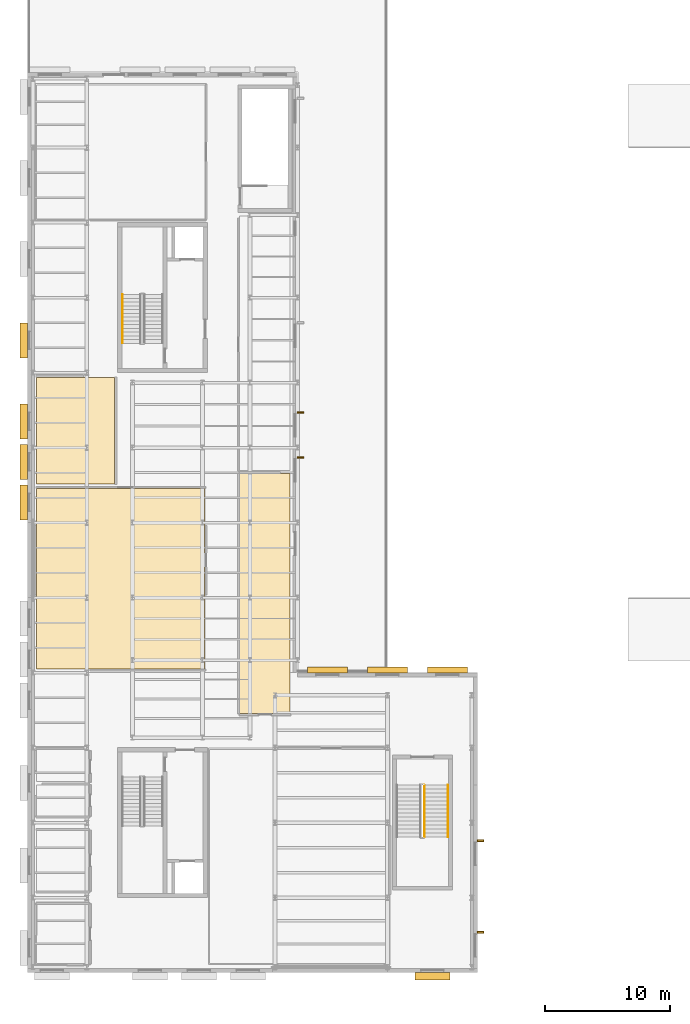
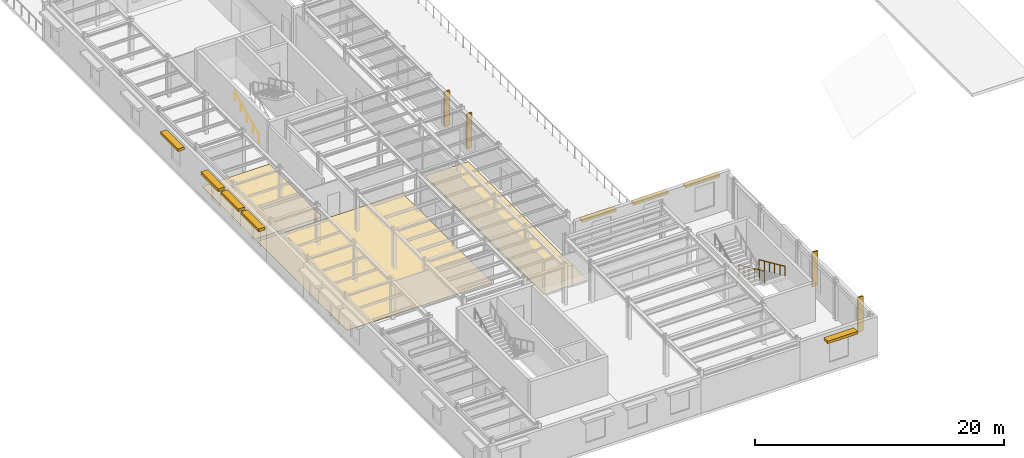
# One storey, part 9 of 13: 12 shading devices, 3 coverings, 3 railings, 2 elements without a shape of their own.
"""IFC4 building model written with IfcOpenShell, lengths in metres."""

from ifc_helpers import new_model, si_unit, direction, frame, origin, origin_2d, place, context, subcontext, project, spatial, polyline, rectangle, circle, outline, extrude, material, layer, layer_set, type_object, element, aggregate, save


model = new_model("IFC4")

# Units and contexts
model_context = context("Model", 3, precision=1e-05, world=origin(), true_north=direction((0.0, 1.0)))
body_context = subcontext(model_context, "Body", "Model", "MODEL_VIEW")
ifc_project = project(units=[si_unit("LENGTHUNIT", "METRE"), si_unit("AREAUNIT", "SQUARE_METRE"), si_unit("VOLUMEUNIT", "CUBIC_METRE"), si_unit("PLANEANGLEUNIT", "RADIAN"), si_unit("MASSUNIT", "GRAM", prefix="KILO")], contexts=[model_context])

# Site, building, storey
site_placement = place(None, origin())
site = spatial("IfcSite", under=ifc_project, at=site_placement, CompositionType="ELEMENT")
building_placement = place(site_placement, origin())
building = spatial("IfcBuilding", under=site, at=building_placement, Name="Kolvaren Corner Interchange", CompositionType="ELEMENT")
storey_placement = place(building_placement, frame((0.0, 0.0, 14.699951171875)))
storey = spatial("IfcBuildingStorey", under=building, at=storey_placement, Name="L04", CompositionType="ELEMENT", Elevation=14.699951171875)

# Coverings
ifc_material_1 = material(Name="Anti-Slip Heavy-Duty Epoxy Resin Flooring")
ifc_layer_1 = layer(ifc_material_1, 0.01806640625)
ifc_layer_set_1 = layer_set([ifc_layer_1], Name="Anti-Slip Heavy-Duty Epoxy Resin Flooring")
covering_type_1 = type_object("IfcCoveringType", Name="COV-FLR-RES18", PredefinedType="FLOORING", material=ifc_layer_set_1)
covering_1_placement = place(storey_placement, origin())
element("IfcCovering", 1, at=covering_1_placement, inside=storey, type_object=covering_type_1, Name="L04 Operations West AHU Plant Room Floor Finish", PredefinedType="FLOORING", context=body_context, shape_type="SweptSolid", body=[
    extrude(outline(polyline([(0.72998046875, 39.080078125), (6.969970703125, 39.080078125), (6.969970703125, 47.6201171875), (0.72998046875, 47.6201171875), (0.72998046875, 39.080078125)])), origin(), (0.0, 0.0, 1.0), 0.01806640625),
])
ifc_material_2 = material(Name="Polished Niger Delta Granite Terrazzo Flooring", Category="masonry")
ifc_layer_2 = layer(ifc_material_2, 0.030029296875)
ifc_layer_set_2 = layer_set([ifc_layer_2], Name="Polished Niger Delta Granite Terrazzo Flooring")
covering_type_2 = type_object("IfcCoveringType", Name="COV-FLR-TER30", PredefinedType="FLOORING", material=ifc_layer_set_2)
covering_2_placement = place(storey_placement, origin())
element("IfcCovering", 2, at=covering_2_placement, inside=storey, type_object=covering_type_2, Name="L04 Transit Safety Lecture Room Floor Finish", PredefinedType="FLOORING", context=body_context, shape_type="SweptSolid", body=[
    extrude(outline(polyline([(16.97998046875, 20.72998046875), (21.02001953125, 20.72998046875), (21.02001953125, 39.919921875), (16.97998046875, 39.919921875), (16.97998046875, 20.72998046875)])), origin(), (0.0, 0.0, 1.0), 0.030029296875),
])
covering_3_placement = place(storey_placement, origin())
element("IfcCovering", 3, at=covering_3_placement, inside=storey, type_object=covering_type_2, Name="L04 Radio Tetra and Telecoms Rack Room Floor Finish", PredefinedType="FLOORING", context=body_context, shape_type="SweptSolid", body=[
    extrude(outline(polyline([(0.72998046875, 24.280029296875), (14.219970703125, 24.280029296875), (14.219970703125, 38.719970703125), (0.72998046875, 38.719970703125), (0.72998046875, 24.280029296875)])), origin(), (0.0, 0.0, 1.0), 0.030029296875),
])

# Stair, railing
ifc_material_3 = material(Name="Concrete C35/45", Category="concrete")
stair_type_1 = type_object("IfcStairType", Name="ST-GL-2000", PredefinedType="HALF_TURN_STAIR", material=ifc_material_3)
stair_1_placement = place(storey_placement, origin())
stair_1 = element("IfcStair", 4, at=stair_1_placement, inside=storey, type_object=stair_type_1, Name="Operations South Bar Protected Exit Stair L04 to L05 Stair", PredefinedType="HALF_TURN_STAIR")
ifc_material_4 = material(Name="Powder-Coated Steel Stairwell Guardrail", Category="steel")
railing_type_1 = type_object("IfcRailingType", Name="RLT-STAIR-GRD1120", PredefinedType="GUARDRAIL", material=ifc_material_4)
railing_1_placement = place(storey_placement, frame((31.75, 15.0, 0.14453125)))
railing_1 = element("IfcRailing", 5, at=railing_1_placement, type_object=railing_type_1, Name="Operations South Bar Protected Exit Stair L04 Lower Flight Well Guardrail", PredefinedType="GUARDRAIL", context=body_context, shape_type="SweptSolid", body=[
    extrude(circle(Radius=0.02392578125, at=origin_2d()), frame((0.0, 0.0, 1.09619140625), z_axis=(0.0, -0.911210697982, 0.411940607228), x_axis=(1.0, 0.0, 0.0)), (0.0, 0.0, 1.0), 4.565185546875),
    extrude(circle(Radius=0.02001953125, at=origin_2d()), origin(), (0.0, 0.0, 1.0), 1.072021484375),
    extrude(circle(Radius=0.02001953125, at=origin_2d()), frame((0.0, -0.83203125, 0.376220703125)), (0.0, 0.0, 1.0), 1.072021484375),
    extrude(circle(Radius=0.02001953125, at=origin_2d()), frame((0.0, -1.6640625, 0.752197265625)), (0.0, 0.0, 1.0), 1.072021484375),
    extrude(circle(Radius=0.02001953125, at=origin_2d()), frame((0.0, -2.495849609375, 1.12841796875)), (0.0, 0.0, 1.0), 1.072021484375),
    extrude(circle(Radius=0.02001953125, at=origin_2d()), frame((0.0, -3.327880859375, 1.50439453125)), (0.0, 0.0, 1.0), 1.072021484375),
    extrude(circle(Radius=0.02001953125, at=origin_2d()), frame((0.0, -4.159912109375, 1.880615234375)), (0.0, 0.0, 1.0), 1.072021484375),
])

ifc_material_5 = material(Name="Concrete C35/45", Category="concrete")
stair_type_2 = type_object("IfcStairType", Name="ST-FF-1550", PredefinedType="HALF_TURN_STAIR", material=ifc_material_5)
stair_2_placement = place(storey_placement, origin())
stair_2 = element("IfcStair", 6, at=stair_2_placement, inside=storey, type_object=stair_type_2, Name="Core C2 Northwest Firefighting Stair L04 to L05 Stair", PredefinedType="HALF_TURN_STAIR")
ifc_material_6 = material(Name="Brushed Stainless Steel Stair Handrail", Category="steel")
railing_type_2 = type_object("IfcRailingType", Name="RLT-STAIR-HR950", PredefinedType="HANDRAIL", material=ifc_material_6)
railing_2_placement = place(storey_placement, frame((7.610107421875, 50.35009765625, 0.14453125)))
railing_2 = element("IfcRailing", 7, at=railing_2_placement, type_object=railing_type_2, Name="Core C2 Northwest Firefighting Stair L04 Lower Flight Wall Handrail", PredefinedType="HANDRAIL", context=body_context, shape_type="SweptSolid", body=[
    extrude(circle(Radius=0.02197265625, at=origin_2d()), frame((0.0, 0.0, 0.927978515625), z_axis=(0.0, 0.900741105627, 0.43435637515), x_axis=(-1.0, 0.0, 0.0)), (0.0, 0.0, 1.0), 4.32958984375),
    extrude(circle(Radius=0.01806640625, at=origin_2d()), origin(), (0.0, 0.0, 1.0), 0.906005859375),
    extrude(circle(Radius=0.01806640625, at=origin_2d()), frame((0.0, 0.97509765625, 0.47021484375)), (0.0, 0.0, 1.0), 0.906005859375),
    extrude(circle(Radius=0.01806640625, at=origin_2d()), frame((0.0, 1.949951171875, 0.9404296875)), (0.0, 0.0, 1.0), 0.906005859375),
    extrude(circle(Radius=0.01806640625, at=origin_2d()), frame((0.0, 2.9248046875, 1.410400390625)), (0.0, 0.0, 1.0), 0.906005859375),
    extrude(circle(Radius=0.01806640625, at=origin_2d()), frame((0.0, 3.89990234375, 1.880615234375)), (0.0, 0.0, 1.0), 0.906005859375),
])
aggregate(stair_2, [railing_2])

# Railing
railing_3_placement = place(storey_placement, frame((33.639892578125, 15.0, 0.14453125)))
railing_3 = element("IfcRailing", 8, at=railing_3_placement, type_object=railing_type_2, Name="Operations South Bar Protected Exit Stair L04 Lower Flight Wall Handrail", PredefinedType="HANDRAIL", context=body_context, shape_type="SweptSolid", body=[
    extrude(circle(Radius=0.02197265625, at=origin_2d()), frame((0.0, 0.0, 0.927978515625), z_axis=(0.0, -0.911210697982, 0.411940607228), x_axis=(1.0, 0.0, 0.0)), (0.0, 0.0, 1.0), 4.565185546875),
    extrude(circle(Radius=0.01806640625, at=origin_2d()), origin(), (0.0, 0.0, 1.0), 0.906005859375),
    extrude(circle(Radius=0.01806640625, at=origin_2d()), frame((0.0, -0.83203125, 0.376220703125)), (0.0, 0.0, 1.0), 0.906005859375),
    extrude(circle(Radius=0.01806640625, at=origin_2d()), frame((0.0, -1.6640625, 0.752197265625)), (0.0, 0.0, 1.0), 0.906005859375),
    extrude(circle(Radius=0.01806640625, at=origin_2d()), frame((0.0, -2.495849609375, 1.12841796875)), (0.0, 0.0, 1.0), 0.906005859375),
    extrude(circle(Radius=0.01806640625, at=origin_2d()), frame((0.0, -3.327880859375, 1.50439453125)), (0.0, 0.0, 1.0), 0.906005859375),
    extrude(circle(Radius=0.01806640625, at=origin_2d()), frame((0.0, -4.159912109375, 1.880615234375)), (0.0, 0.0, 1.0), 0.906005859375),
])

aggregate(stair_1, [railing_1, railing_3])

# Shading devices
ifc_material_7 = material(Name="Glazed Ochre Ceramic Baguette Solar Louvre")
shading_device_type_1 = type_object("IfcShadingDeviceType", Name="SHD-BAG-H450", PredefinedType="JALOUSIE", material=ifc_material_7)
for number, where, z_axis, x_axis, name in (
    (9, (33.60009765625, 24.215087890625, 3.2001953125), (0.0, 0.0, 1.0), (-1.0, 0.0, 0.0), "L04 Ceramic Solar Shading 0093"),
    (10, (28.800048828125, 24.215087890625, 3.2001953125), (0.0, 0.0, 1.0), (-1.0, 0.0, 0.0), "L04 Ceramic Solar Shading 0094"),
    (11, (24.0, 24.215087890625, 3.2001953125), (0.0, 0.0, 1.0), (-1.0, 0.0, 0.0), "L04 Ceramic Solar Shading 0095"),
):
    element("IfcShadingDevice", number, at=place(storey_placement, frame(where, z_axis=z_axis, x_axis=x_axis)), inside=storey, type_object=shading_device_type_1, Name=name, PredefinedType="JALOUSIE", context=body_context, shape_type="SweptSolid", body=[
        extrude(rectangle(XDim=3.199951171875, YDim=0.449951171875, at=origin_2d()), origin(), (0.0, 0.0, 1.0), 0.219970703125),
    ])
ifc_material_8 = material(Name="Cream Ceramic Baguette Brise-Soleil")
shading_device_type_2 = type_object("IfcShadingDeviceType", Name="SHD-BAG-H600", PredefinedType="JALOUSIE", material=ifc_material_8)
for number, where, z_axis, x_axis, name in (
    (12, (32.39990234375, -0.280029296875, 3.18017578125), (0.0, 0.0, 1.0), (1.0, 0.0, 0.0), "L04 Ceramic Solar Shading 0090"),
    (13, (-0.2900390625, 50.588134765625, 2.93017578125), (0.0, 0.0, 1.0), (0.0, -1.0, 0.0), "L04 Ceramic Solar Shading 0108"),
    (14, (-0.2900390625, 44.1044921875, 2.93017578125), (0.0, 0.0, 1.0), (0.0, -1.0, 0.0), "L04 Ceramic Solar Shading 0109"),
    (15, (-0.2900390625, 40.86279296875, 2.93017578125), (0.0, 0.0, 1.0), (0.0, -1.0, 0.0), "L04 Ceramic Solar Shading 0110"),
    (16, (-0.2900390625, 37.620849609375, 2.93017578125), (0.0, 0.0, 1.0), (0.0, -1.0, 0.0), "L04 Ceramic Solar Shading 0111"),
):
    element("IfcShadingDevice", number, at=place(storey_placement, frame(where, z_axis=z_axis, x_axis=x_axis)), inside=storey, type_object=shading_device_type_2, Name=name, PredefinedType="JALOUSIE", context=body_context, shape_type="SweptSolid", body=[
        extrude(rectangle(XDim=2.800048828125, YDim=0.60009765625, at=origin_2d()), origin(), (0.0, 0.0, 1.0), 0.260009765625),
    ])
ifc_material_9 = material(Name="Vertical Terracotta Solar Fin", Category="masonry")
shading_device_type_3 = type_object("IfcShadingDeviceType", Name="SHD-FIN-V500", PredefinedType="USERDEFINED", material=ifc_material_9)
for number, where, z_axis, x_axis, name in (
    (17, (36.239990234375, 3.23681640625, 0.295166015625), (0.0, 0.0, 1.0), (0.0, 1.0, 0.0), "L04 Ceramic Solar Shading 0091"),
    (18, (36.239990234375, 10.564453125, 0.295166015625), (0.0, 0.0, 1.0), (0.0, 1.0, 0.0), "L04 Ceramic Solar Shading 0092"),
    (19, (21.840087890625, 41.221923828125, 0.295166015625), (0.0, 0.0, 1.0), (0.0, 1.0, 0.0), "L04 Ceramic Solar Shading 0096"),
    (20, (21.840087890625, 44.8134765625, 0.295166015625), (0.0, 0.0, 1.0), (0.0, 1.0, 0.0), "L04 Ceramic Solar Shading 0097"),
):
    element("IfcShadingDevice", number, at=place(storey_placement, frame(where, z_axis=z_axis, x_axis=x_axis)), inside=storey, type_object=shading_device_type_3, Name=name, ObjectType="SUNSHADE", PredefinedType="USERDEFINED", context=body_context, shape_type="SweptSolid", body=[
        extrude(rectangle(XDim=0.139892578125, YDim=0.5, at=origin_2d()), origin(), (0.0, 0.0, 1.0), 3.39990234375),
    ])

save(model, "model.ifc")
